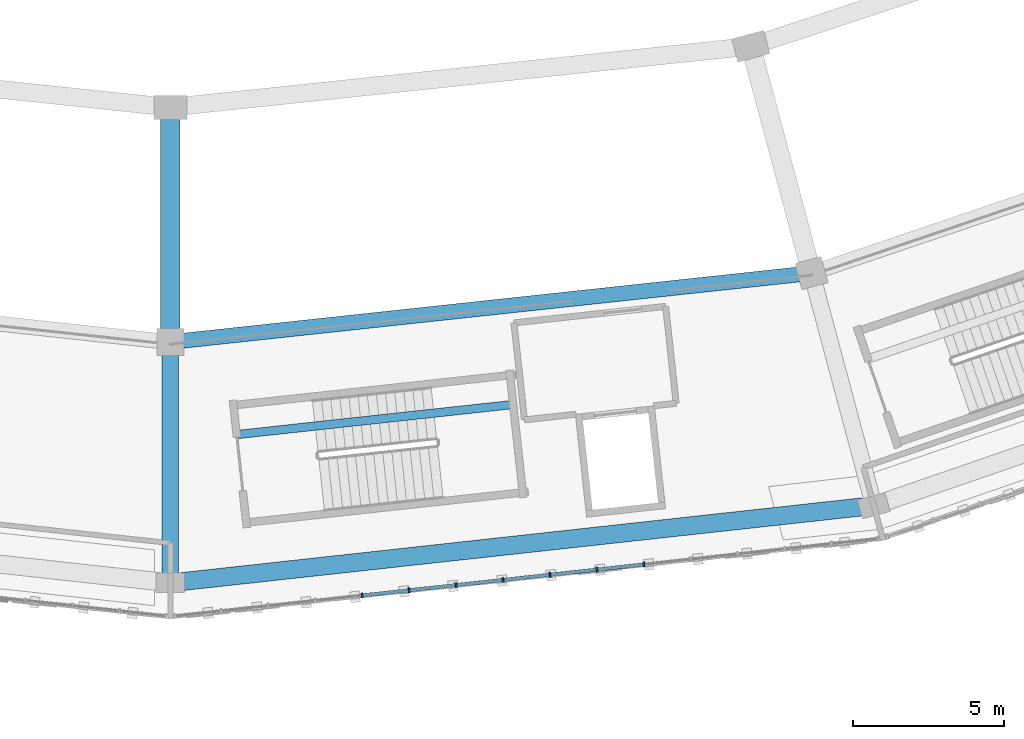
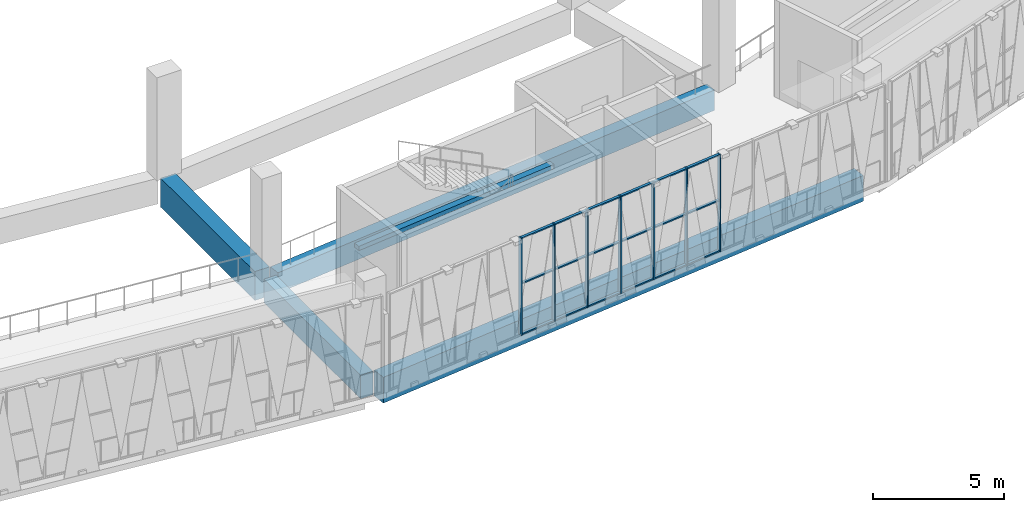
# One storey, part 10 of 108: 25 members, 5 beams, 1 element without a shape of its own.
"""IFC4 building model written with IfcOpenShell, lengths in metres."""

from ifc_helpers import new_model, si_unit, direction, frame, origin, origin_2d, place, context, subcontext, project, spatial, rectangle, extrude, material, material_profile, profile_set, type_object, element, aggregate, save


model = new_model("IFC4")

# Units and contexts
model_context = context("Model", 3, precision=1e-05, world=origin(), true_north=direction((0.0, 1.0)))
body_context = subcontext(model_context, "Body", "Model", "MODEL_VIEW")
ifc_project = project(units=[si_unit("LENGTHUNIT", "METRE"), si_unit("AREAUNIT", "SQUARE_METRE"), si_unit("VOLUMEUNIT", "CUBIC_METRE"), si_unit("PLANEANGLEUNIT", "RADIAN"), si_unit("MASSUNIT", "GRAM", prefix="KILO")], contexts=[model_context])

# Site, building, storey
site_placement = place(None, origin())
site = spatial("IfcSite", under=ifc_project, at=site_placement, CompositionType="ELEMENT")
building_placement = place(site_placement, origin())
building = spatial("IfcBuilding", under=site, at=building_placement, Name="Zevraka Park Crest Stadium", CompositionType="ELEMENT")
storey_placement = place(building_placement, frame((0.0, 0.0, 19.800048828125)))
storey = spatial("IfcBuildingStorey", under=building, at=storey_placement, Name="L04", CompositionType="ELEMENT", Elevation=19.800048828125)

# Beams
ifc_material_1 = material(Name="Concrete C40/50", Category="concrete")
ifc_material_profile_1 = material_profile(ifc_material_1, rectangle(XDim=0.64990234375, YDim=1.35009765625, at=origin_2d()), Name="RC 1350x650")
ifc_profile_set_1 = profile_set([ifc_material_profile_1], Name="Concrete C40/50")
beam_type_1 = type_object("IfcBeamType", Name="BG01", PredefinedType="BEAM", material=ifc_profile_set_1)
beam_1_placement = place(storey_placement, frame((112.0, 32.199951171875, -0.68505859375), z_axis=(0.0, -1.0, 0.0), x_axis=(1.0, 0.0, 0.0)))
element("IfcBeam", 1, at=beam_1_placement, inside=storey, type_object=beam_type_1, Name="Radial Girder BG01 L04-BC-18", PredefinedType="BEAM", context=body_context, shape_type="SweptSolid", body=[
    extrude(rectangle(XDim=0.64990234375, YDim=1.35009765625, at=origin_2d()), origin(), (0.0, 0.0, 1.0), 7.199951171875),
])
ifc_material_2 = material(Name="Concrete C40/50", Category="concrete")
ifc_material_profile_2 = material_profile(ifc_material_2, rectangle(XDim=0.550048828125, YDim=1.10009765625, at=origin_2d()), Name="RC 1100x550")
ifc_profile_set_2 = profile_set([ifc_material_profile_2], Name="Concrete C40/50")
beam_type_2 = type_object("IfcBeamType", Name="BG02", PredefinedType="BEAM", material=ifc_profile_set_2)
beam_2_placement = place(storey_placement, frame((112.0, 24.39990234375, -0.56005859375), z_axis=(0.0, -1.0, 0.0), x_axis=(1.0, 0.0, 0.0)))
element("IfcBeam", 2, at=beam_2_placement, inside=storey, type_object=beam_type_2, Name="Radial Girder BG02 L04-CD-18", PredefinedType="BEAM", context=body_context, shape_type="SweptSolid", body=[
    extrude(rectangle(XDim=0.550048828125, YDim=1.10009765625, at=origin_2d()), origin(), (0.0, 0.0, 1.0), 7.39990234375),
])

# Curtain wall, members
ifc_material_3 = material(Name="Anodised architectural aluminium and laminated safety glass", Category="aluminium")
curtain_wall_type = type_object("IfcCurtainWallType", Name="CW16", PredefinedType="NOTDEFINED", material=ifc_material_3)
curtain_wall_placement = place(storey_placement, origin())
curtain_wall = element("IfcCurtainWall", 3, at=curtain_wall_placement, inside=storey, type_object=curtain_wall_type, Name="Unitised Ring Curtain Wall CW16 L04-18", PredefinedType="NOTDEFINED")
ifc_material_4 = material(Name="Anodised architectural aluminium", Category="aluminium")
ifc_material_profile_3 = material_profile(ifc_material_4, rectangle(XDim=0.159912109375, YDim=0.06005859375, at=origin_2d()), Name="ALU MULLION 160x60")
ifc_profile_set_3 = profile_set([ifc_material_profile_3], Name="Anodised architectural aluminium")
member_type_1 = type_object("IfcMemberType", Name="CM01", PredefinedType="MULLION", material=ifc_profile_set_3)
member_1_placement = place(storey_placement, frame((118.37109375, 16.281982421875, 0.0), z_axis=(0.0, 0.0, 1.0), x_axis=(-0.109405941967, 0.993997152844, 0.0)))
member_1 = element("IfcMember", 4, at=member_1_placement, type_object=member_type_1, Name="CW16 mullion 5", PredefinedType="MULLION", context=body_context, shape_type="SweptSolid", body=[
    extrude(rectangle(XDim=0.159912109375, YDim=0.06005859375, at=origin_2d()), origin(), (0.0, 0.0, 1.0), 4.5400390625),
])
member_2_placement = place(storey_placement, frame((119.931396484375, 16.45361328125, 0.0), z_axis=(0.0, 0.0, 1.0), x_axis=(-0.109405941967, 0.993997152844, 0.0)))
member_2 = element("IfcMember", 5, at=member_2_placement, type_object=member_type_1, Name="CW16 mullion 6", PredefinedType="MULLION", context=body_context, shape_type="SweptSolid", body=[
    extrude(rectangle(XDim=0.159912109375, YDim=0.06005859375, at=origin_2d()), origin(), (0.0, 0.0, 1.0), 4.5400390625),
])
member_3_placement = place(storey_placement, frame((121.49169921875, 16.62548828125, 0.0), z_axis=(0.0, 0.0, 1.0), x_axis=(-0.109405941967, 0.993997152844, 0.0)))
member_3 = element("IfcMember", 6, at=member_3_placement, type_object=member_type_1, Name="CW16 mullion 7", PredefinedType="MULLION", context=body_context, shape_type="SweptSolid", body=[
    extrude(rectangle(XDim=0.159912109375, YDim=0.06005859375, at=origin_2d()), origin(), (0.0, 0.0, 1.0), 4.5400390625),
])
member_4_placement = place(storey_placement, frame((123.0517578125, 16.797119140625, 0.0), z_axis=(0.0, 0.0, 1.0), x_axis=(-0.109405941967, 0.993997152844, 0.0)))
member_4 = element("IfcMember", 7, at=member_4_placement, type_object=member_type_1, Name="CW16 mullion 8", PredefinedType="MULLION", context=body_context, shape_type="SweptSolid", body=[
    extrude(rectangle(XDim=0.159912109375, YDim=0.06005859375, at=origin_2d()), origin(), (0.0, 0.0, 1.0), 4.5400390625),
])
member_5_placement = place(storey_placement, frame((124.612060546875, 16.96875, 0.0), z_axis=(0.0, 0.0, 1.0), x_axis=(-0.109405941967, 0.993997152844, 0.0)))
member_5 = element("IfcMember", 8, at=member_5_placement, type_object=member_type_1, Name="CW16 mullion 9", PredefinedType="MULLION", context=body_context, shape_type="SweptSolid", body=[
    extrude(rectangle(XDim=0.159912109375, YDim=0.06005859375, at=origin_2d()), origin(), (0.0, 0.0, 1.0), 4.5400390625),
])
member_6_placement = place(storey_placement, frame((126.17236328125, 17.140625, 0.0), z_axis=(0.0, 0.0, 1.0), x_axis=(-0.109405941967, 0.993997152844, 0.0)))
member_6 = element("IfcMember", 9, at=member_6_placement, type_object=member_type_1, Name="CW16 mullion 10", PredefinedType="MULLION", context=body_context, shape_type="SweptSolid", body=[
    extrude(rectangle(XDim=0.159912109375, YDim=0.06005859375, at=origin_2d()), origin(), (0.0, 0.0, 1.0), 4.5400390625),
])
member_7_placement = place(storey_placement, frame((127.732666015625, 17.312255859375, 0.0), z_axis=(0.0, 0.0, 1.0), x_axis=(-0.109405941967, 0.993997152844, 0.0)))
member_7 = element("IfcMember", 10, at=member_7_placement, type_object=member_type_1, Name="CW16 mullion 11", PredefinedType="MULLION", context=body_context, shape_type="SweptSolid", body=[
    extrude(rectangle(XDim=0.159912109375, YDim=0.06005859375, at=origin_2d()), origin(), (0.0, 0.0, 1.0), 4.5400390625),
])
ifc_material_5 = material(Name="Anodised architectural aluminium", Category="aluminium")
ifc_material_profile_4 = material_profile(ifc_material_5, rectangle(XDim=0.1201171875, YDim=0.06005859375, at=origin_2d()), Name="ALU TRANSOM 120x60")
ifc_profile_set_4 = profile_set([ifc_material_profile_4], Name="Anodised architectural aluminium")
member_type_2 = type_object("IfcMemberType", Name="CT01", PredefinedType="USERDEFINED", material=ifc_profile_set_4)
member_8_placement = place(storey_placement, frame((118.40087890625, 16.28515625, 0.030029296875), z_axis=(0.993989760088, 0.109473087291, 0.0), x_axis=(-0.109473087291, 0.993989760088, 0.0)))
member_8 = element("IfcMember", 11, at=member_8_placement, type_object=member_type_2, Name="CW16 transom 5.1", ObjectType="TRANSOM", PredefinedType="USERDEFINED", context=body_context, shape_type="SweptSolid", body=[
    extrude(rectangle(XDim=0.1201171875, YDim=0.06005859375, at=origin_2d()), origin(), (0.0, 0.0, 1.0), 1.509765625),
])
member_9_placement = place(storey_placement, frame((118.40087890625, 16.28515625, 2.39990234375), z_axis=(0.993989760088, 0.109473087291, 0.0), x_axis=(-0.109473087291, 0.993989760088, 0.0)))
member_9 = element("IfcMember", 12, at=member_9_placement, type_object=member_type_2, Name="CW16 transom 5.2", ObjectType="TRANSOM", PredefinedType="USERDEFINED", context=body_context, shape_type="SweptSolid", body=[
    extrude(rectangle(XDim=0.1201171875, YDim=0.06005859375, at=origin_2d()), origin(), (0.0, 0.0, 1.0), 1.509765625),
])
member_10_placement = place(storey_placement, frame((118.40087890625, 16.28515625, 4.510009765625), z_axis=(0.993989760088, 0.109473087291, 0.0), x_axis=(-0.109473087291, 0.993989760088, 0.0)))
member_10 = element("IfcMember", 13, at=member_10_placement, type_object=member_type_2, Name="CW16 transom 5.3", ObjectType="TRANSOM", PredefinedType="USERDEFINED", context=body_context, shape_type="SweptSolid", body=[
    extrude(rectangle(XDim=0.1201171875, YDim=0.06005859375, at=origin_2d()), origin(), (0.0, 0.0, 1.0), 1.509765625),
])
member_11_placement = place(storey_placement, frame((119.961181640625, 16.45703125, 0.030029296875), z_axis=(0.994005410559, 0.109330891236, 0.0), x_axis=(-0.109330891236, 0.994005410559, 0.0)))
member_11 = element("IfcMember", 14, at=member_11_placement, type_object=member_type_2, Name="CW16 transom 6.1", ObjectType="TRANSOM", PredefinedType="USERDEFINED", context=body_context, shape_type="SweptSolid", body=[
    extrude(rectangle(XDim=0.1201171875, YDim=0.06005859375, at=origin_2d()), origin(), (0.0, 0.0, 1.0), 1.509521484375),
])
member_12_placement = place(storey_placement, frame((119.961181640625, 16.45703125, 2.39990234375), z_axis=(0.994005410559, 0.109330891236, 0.0), x_axis=(-0.109330891236, 0.994005410559, 0.0)))
member_12 = element("IfcMember", 15, at=member_12_placement, type_object=member_type_2, Name="CW16 transom 6.2", ObjectType="TRANSOM", PredefinedType="USERDEFINED", context=body_context, shape_type="SweptSolid", body=[
    extrude(rectangle(XDim=0.1201171875, YDim=0.06005859375, at=origin_2d()), origin(), (0.0, 0.0, 1.0), 1.509521484375),
])
member_13_placement = place(storey_placement, frame((119.961181640625, 16.45703125, 4.510009765625), z_axis=(0.994005410559, 0.109330891236, 0.0), x_axis=(-0.109330891236, 0.994005410559, 0.0)))
member_13 = element("IfcMember", 16, at=member_13_placement, type_object=member_type_2, Name="CW16 transom 6.3", ObjectType="TRANSOM", PredefinedType="USERDEFINED", context=body_context, shape_type="SweptSolid", body=[
    extrude(rectangle(XDim=0.1201171875, YDim=0.06005859375, at=origin_2d()), origin(), (0.0, 0.0, 1.0), 1.509521484375),
])
member_14_placement = place(storey_placement, frame((121.521484375, 16.628662109375, 0.030029296875), z_axis=(0.993987821711, 0.10949068586, 0.0), x_axis=(-0.10949068586, 0.993987821711, 0.0)))
member_14 = element("IfcMember", 17, at=member_14_placement, type_object=member_type_2, Name="CW16 transom 7.1", ObjectType="TRANSOM", PredefinedType="USERDEFINED", context=body_context, shape_type="SweptSolid", body=[
    extrude(rectangle(XDim=0.1201171875, YDim=0.06005859375, at=origin_2d()), origin(), (0.0, 0.0, 1.0), 1.509521484375),
])
member_15_placement = place(storey_placement, frame((121.521484375, 16.628662109375, 2.39990234375), z_axis=(0.993987821711, 0.10949068586, 0.0), x_axis=(-0.10949068586, 0.993987821711, 0.0)))
member_15 = element("IfcMember", 18, at=member_15_placement, type_object=member_type_2, Name="CW16 transom 7.2", ObjectType="TRANSOM", PredefinedType="USERDEFINED", context=body_context, shape_type="SweptSolid", body=[
    extrude(rectangle(XDim=0.1201171875, YDim=0.06005859375, at=origin_2d()), origin(), (0.0, 0.0, 1.0), 1.509521484375),
])
member_16_placement = place(storey_placement, frame((121.521484375, 16.628662109375, 4.510009765625), z_axis=(0.993987821711, 0.10949068586, 0.0), x_axis=(-0.10949068586, 0.993987821711, 0.0)))
member_16 = element("IfcMember", 19, at=member_16_placement, type_object=member_type_2, Name="CW16 transom 7.3", ObjectType="TRANSOM", PredefinedType="USERDEFINED", context=body_context, shape_type="SweptSolid", body=[
    extrude(rectangle(XDim=0.1201171875, YDim=0.06005859375, at=origin_2d()), origin(), (0.0, 0.0, 1.0), 1.509521484375),
])
member_17_placement = place(storey_placement, frame((123.081787109375, 16.800537109375, 0.030029296875), z_axis=(0.994005410559, 0.109330891236, 0.0), x_axis=(-0.109330891236, 0.994005410559, 0.0)))
member_17 = element("IfcMember", 20, at=member_17_placement, type_object=member_type_2, Name="CW16 transom 8.1", ObjectType="TRANSOM", PredefinedType="USERDEFINED", context=body_context, shape_type="SweptSolid", body=[
    extrude(rectangle(XDim=0.1201171875, YDim=0.06005859375, at=origin_2d()), origin(), (0.0, 0.0, 1.0), 1.509521484375),
])
member_18_placement = place(storey_placement, frame((123.081787109375, 16.800537109375, 2.39990234375), z_axis=(0.994005410559, 0.109330891236, 0.0), x_axis=(-0.109330891236, 0.994005410559, 0.0)))
member_18 = element("IfcMember", 21, at=member_18_placement, type_object=member_type_2, Name="CW16 transom 8.2", ObjectType="TRANSOM", PredefinedType="USERDEFINED", context=body_context, shape_type="SweptSolid", body=[
    extrude(rectangle(XDim=0.1201171875, YDim=0.06005859375, at=origin_2d()), origin(), (0.0, 0.0, 1.0), 1.509521484375),
])
member_19_placement = place(storey_placement, frame((123.081787109375, 16.800537109375, 4.510009765625), z_axis=(0.994005410559, 0.109330891236, 0.0), x_axis=(-0.109330891236, 0.994005410559, 0.0)))
member_19 = element("IfcMember", 22, at=member_19_placement, type_object=member_type_2, Name="CW16 transom 8.3", ObjectType="TRANSOM", PredefinedType="USERDEFINED", context=body_context, shape_type="SweptSolid", body=[
    extrude(rectangle(XDim=0.1201171875, YDim=0.06005859375, at=origin_2d()), origin(), (0.0, 0.0, 1.0), 1.509521484375),
])
member_20_placement = place(storey_placement, frame((124.641845703125, 16.97216796875, 0.030029296875), z_axis=(0.994007343316, 0.109313317729, 0.0), x_axis=(-0.109313317729, 0.994007343316, 0.0)))
member_20 = element("IfcMember", 23, at=member_20_placement, type_object=member_type_2, Name="CW16 transom 9.1", ObjectType="TRANSOM", PredefinedType="USERDEFINED", context=body_context, shape_type="SweptSolid", body=[
    extrude(rectangle(XDim=0.1201171875, YDim=0.06005859375, at=origin_2d()), origin(), (0.0, 0.0, 1.0), 1.509765625),
])
member_21_placement = place(storey_placement, frame((124.641845703125, 16.97216796875, 2.39990234375), z_axis=(0.994007343316, 0.109313317729, 0.0), x_axis=(-0.109313317729, 0.994007343316, 0.0)))
member_21 = element("IfcMember", 24, at=member_21_placement, type_object=member_type_2, Name="CW16 transom 9.2", ObjectType="TRANSOM", PredefinedType="USERDEFINED", context=body_context, shape_type="SweptSolid", body=[
    extrude(rectangle(XDim=0.1201171875, YDim=0.06005859375, at=origin_2d()), origin(), (0.0, 0.0, 1.0), 1.509765625),
])
member_22_placement = place(storey_placement, frame((124.641845703125, 16.97216796875, 4.510009765625), z_axis=(0.994007343316, 0.109313317729, 0.0), x_axis=(-0.109313317729, 0.994007343316, 0.0)))
member_22 = element("IfcMember", 25, at=member_22_placement, type_object=member_type_2, Name="CW16 transom 9.3", ObjectType="TRANSOM", PredefinedType="USERDEFINED", context=body_context, shape_type="SweptSolid", body=[
    extrude(rectangle(XDim=0.1201171875, YDim=0.06005859375, at=origin_2d()), origin(), (0.0, 0.0, 1.0), 1.509765625),
])
member_23_placement = place(storey_placement, frame((126.2021484375, 17.143798828125, 0.030029296875), z_axis=(0.993989760088, 0.109473087291, 0.0), x_axis=(-0.109473087291, 0.993989760088, 0.0)))
member_23 = element("IfcMember", 26, at=member_23_placement, type_object=member_type_2, Name="CW16 transom 10.1", ObjectType="TRANSOM", PredefinedType="USERDEFINED", context=body_context, shape_type="SweptSolid", body=[
    extrude(rectangle(XDim=0.1201171875, YDim=0.06005859375, at=origin_2d()), origin(), (0.0, 0.0, 1.0), 1.509765625),
])
member_24_placement = place(storey_placement, frame((126.2021484375, 17.143798828125, 2.39990234375), z_axis=(0.993989760088, 0.109473087291, 0.0), x_axis=(-0.109473087291, 0.993989760088, 0.0)))
member_24 = element("IfcMember", 27, at=member_24_placement, type_object=member_type_2, Name="CW16 transom 10.2", ObjectType="TRANSOM", PredefinedType="USERDEFINED", context=body_context, shape_type="SweptSolid", body=[
    extrude(rectangle(XDim=0.1201171875, YDim=0.06005859375, at=origin_2d()), origin(), (0.0, 0.0, 1.0), 1.509765625),
])
member_25_placement = place(storey_placement, frame((126.2021484375, 17.143798828125, 4.510009765625), z_axis=(0.993989760088, 0.109473087291, 0.0), x_axis=(-0.109473087291, 0.993989760088, 0.0)))
member_25 = element("IfcMember", 28, at=member_25_placement, type_object=member_type_2, Name="CW16 transom 10.3", ObjectType="TRANSOM", PredefinedType="USERDEFINED", context=body_context, shape_type="SweptSolid", body=[
    extrude(rectangle(XDim=0.1201171875, YDim=0.06005859375, at=origin_2d()), origin(), (0.0, 0.0, 1.0), 1.509765625),
])
aggregate(curtain_wall, [member_1, member_2, member_3, member_4, member_5, member_6, member_7, member_8, member_9, member_10, member_11, member_12, member_13, member_14, member_15, member_16, member_17, member_18, member_19, member_20, member_21, member_22, member_23, member_24, member_25])

# Beams
ifc_material_6 = material(Name="Concrete C40/50", Category="concrete")
ifc_material_profile_5 = material_profile(ifc_material_6, rectangle(XDim=0.60009765625, YDim=1.199951171875, at=origin_2d()), Name="RC 1200x600")
ifc_profile_set_5 = profile_set([ifc_material_profile_5], Name="Concrete C40/50")
beam_type_3 = type_object("IfcBeamType", Name="RB01", PredefinedType="BEAM", material=ifc_profile_set_5)
beam_3_placement = place(storey_placement, frame((112.3779296875, 16.740966796875, -0.610107421875), z_axis=(0.994021150509, 0.109187693174, 0.0), x_axis=(-0.109187693174, 0.994021150509, 0.0)))
element("IfcBeam", 29, at=beam_3_placement, inside=storey, type_object=beam_type_3, Name="Ring Beam RB01 L04-D-18", PredefinedType="BEAM", context=body_context, shape_type="SweptSolid", body=[
    extrude(rectangle(XDim=0.60009765625, YDim=1.199951171875, at=origin_2d()), origin(), (0.0, 0.0, 1.0), 22.7509765625),
])
ifc_material_7 = material(Name="Concrete C40/50", Category="concrete")
ifc_material_profile_6 = material_profile(ifc_material_7, rectangle(XDim=0.5, YDim=0.949951171875, at=origin_2d()), Name="RC 950x500")
ifc_profile_set_6 = profile_set([ifc_material_profile_6], Name="Concrete C40/50")
beam_type_4 = type_object("IfcBeamType", Name="RB02", PredefinedType="BEAM", material=ifc_profile_set_6)
beam_4_placement = place(storey_placement, frame((112.3779296875, 24.740966796875, -0.485107421875), z_axis=(0.994259477334, 0.106995755668, 0.0), x_axis=(-0.106995755668, 0.994259477334, 0.0)))
element("IfcBeam", 30, at=beam_4_placement, inside=storey, type_object=beam_type_4, Name="Ring Beam RB02 L04-C-18", PredefinedType="BEAM", context=body_context, shape_type="SweptSolid", body=[
    extrude(rectangle(XDim=0.5, YDim=0.949951171875, at=origin_2d()), origin(), (0.0, 0.0, 1.0), 20.663818359375),
])
ifc_material_8 = material(Name="Concrete C40/50", Category="concrete")
ifc_material_profile_7 = material_profile(ifc_material_8, rectangle(XDim=0.280029296875, YDim=0.199951171875, at=origin_2d()), Name="RC 200x280")
ifc_profile_set_7 = profile_set([ifc_material_profile_7], Name="Concrete C40/50")
beam_type_5 = type_object("IfcBeamType", Name="SJ13", PredefinedType="JOIST", material=ifc_profile_set_7)
beam_5_placement = place(storey_placement, frame((114.22802734375, 21.62841796875, 2.300048828125), z_axis=(0.994127809114, 0.108212287404, 0.0), x_axis=(-0.108212287404, 0.994127809114, 0.0)))
element("IfcBeam", 31, at=beam_5_placement, inside=storey, type_object=beam_type_5, Name="Stair Upper-Flight Longitudinal Stringer SJ13 ST19-L04", PredefinedType="JOIST", context=body_context, shape_type="SweptSolid", body=[
    extrude(rectangle(XDim=0.280029296875, YDim=0.199951171875, at=origin_2d()), origin(), (0.0, 0.0, 1.0), 9.25),
])

save(model, "model.ifc")
